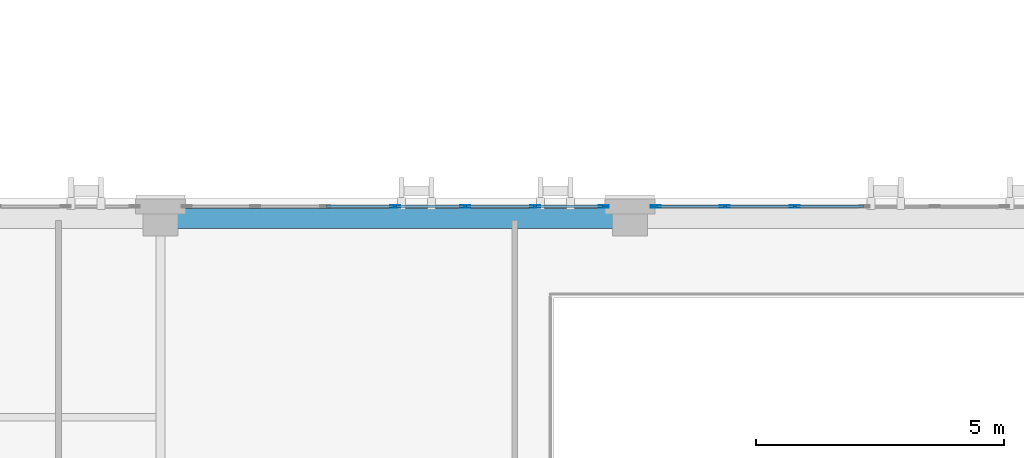
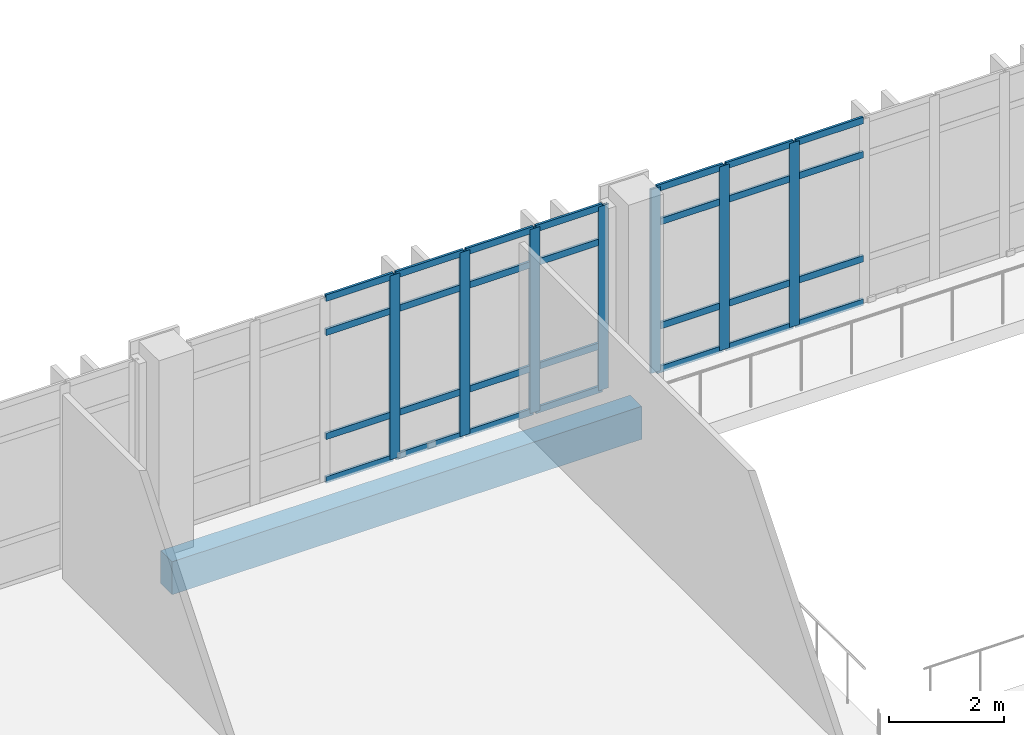
# One storey, part 15 of 193: 35 members, 1 beam, 2 elements without a shape of their own.
"""IFC4 building model written with IfcOpenShell, lengths in metres."""

from ifc_helpers import new_model, si_unit, direction, frame, origin, origin_2d, place, context, subcontext, project, spatial, rectangle, hollow_rectangle, extrude, material, layer, layer_set, material_profile, profile_set, type_object, element, aggregate, save


model = new_model("IFC4")

# Units and contexts
model_context = context("Model", 3, precision=1e-05, world=origin(), true_north=direction((0.0, 1.0)))
body_context = subcontext(model_context, "Body", "Model", "MODEL_VIEW")
ifc_project = project(units=[si_unit("LENGTHUNIT", "METRE"), si_unit("AREAUNIT", "SQUARE_METRE"), si_unit("VOLUMEUNIT", "CUBIC_METRE"), si_unit("PLANEANGLEUNIT", "RADIAN"), si_unit("MASSUNIT", "GRAM", prefix="KILO")], contexts=[model_context])

# Site, building, storey
site_placement = place(None, origin())
site = spatial("IfcSite", under=ifc_project, at=site_placement, CompositionType="ELEMENT")
building_placement = place(site_placement, origin())
building = spatial("IfcBuilding", under=site, at=building_placement, Name="Qalavern Law Courts", CompositionType="ELEMENT")
storey_placement = place(building_placement, frame((0.0, 0.0, 10.199951171875)))
storey = spatial("IfcBuildingStorey", under=building, at=storey_placement, Name="L02", CompositionType="ELEMENT", Elevation=10.199951171875)

# Curtain wall, members
ifc_material_1 = material(Name="Anodised aluminium and insulated glazing", Category="aluminium")
ifc_layer = layer(ifc_material_1, 0.18505859375)
ifc_layer_set = layer_set([ifc_layer], Name="Anodised aluminium and insulated glazing")
curtain_wall_type = type_object("IfcCurtainWallType", Name="ENV-CW-HALL", PredefinedType="USERDEFINED", material=ifc_layer_set)
curtain_wall_1_placement = place(storey_placement, origin())
curtain_wall_1 = element("IfcCurtainWall", 1, at=curtain_wall_1_placement, inside=storey, type_object=curtain_wall_type, Name="V2 unitised curtain wall L02 north 4", ObjectType="UNITISED CURTAIN WALL", PredefinedType="USERDEFINED")
ifc_material_2 = material(Name="Anodised aluminium", Category="aluminium")
ifc_material_profile_1 = material_profile(ifc_material_2, hollow_rectangle(XDim=0.048095703125, YDim=0.199951171875, WallThickness=0.00439453125, at=origin_2d()), Name="ALU MULLION 48x200")
ifc_profile_set_1 = profile_set([ifc_material_profile_1], Name="Anodised aluminium")
member_type_1 = type_object("IfcMemberType", Name="ENV-CWM-48x200", PredefinedType="MULLION", material=ifc_profile_set_1)
member_1_placement = place(storey_placement, frame((56.8466796875, 30.2451171875, 0.0), z_axis=(0.0, 0.0, 1.0), x_axis=(0.0, -1.0, 0.0)))
member_1 = element("IfcMember", 2, at=member_1_placement, type_object=member_type_1, Name="CW-02 mullion 5", PredefinedType="MULLION", context=body_context, shape_type="SweptSolid", body=[
    extrude(hollow_rectangle(XDim=0.048095703125, YDim=0.199951171875, WallThickness=0.00439453125, at=origin_2d()), origin(), (0.0, 0.0, 1.0), 3.9150390625),
])
member_2_placement = place(storey_placement, frame((55.437744140625, 30.2451171875, 0.0), z_axis=(0.0, 0.0, 1.0), x_axis=(0.0, -1.0, 0.0)))
member_2 = element("IfcMember", 3, at=member_2_placement, type_object=member_type_1, Name="CW-02 mullion 6", PredefinedType="MULLION", context=body_context, shape_type="SweptSolid", body=[
    extrude(hollow_rectangle(XDim=0.048095703125, YDim=0.199951171875, WallThickness=0.00439453125, at=origin_2d()), origin(), (0.0, 0.0, 1.0), 3.9150390625),
])
member_3_placement = place(storey_placement, frame((54.052490234375, 30.2451171875, 0.0), z_axis=(0.0, 0.0, 1.0), x_axis=(0.0, -1.0, 0.0)))
member_3 = element("IfcMember", 4, at=member_3_placement, type_object=member_type_1, Name="CW-02 mullion 7", PredefinedType="MULLION", context=body_context, shape_type="SweptSolid", body=[
    extrude(hollow_rectangle(XDim=0.048095703125, YDim=0.199951171875, WallThickness=0.00439453125, at=origin_2d()), origin(), (0.0, 0.0, 1.0), 3.9150390625),
])

curtain_wall_2_placement = place(storey_placement, origin())
curtain_wall_2 = element("IfcCurtainWall", 5, at=curtain_wall_2_placement, inside=storey, type_object=curtain_wall_type, Name="V2 unitised curtain wall L02 north 5", ObjectType="UNITISED CURTAIN WALL", PredefinedType="USERDEFINED")
member_4_placement = place(storey_placement, frame((53.004638671875, 30.2451171875, 0.0), z_axis=(0.0, 0.0, 1.0), x_axis=(0.0, -1.0, 0.0)))
member_4 = element("IfcMember", 6, at=member_4_placement, type_object=member_type_1, Name="CW-02 mullion 1", PredefinedType="MULLION", context=body_context, shape_type="SweptSolid", body=[
    extrude(hollow_rectangle(XDim=0.048095703125, YDim=0.199951171875, WallThickness=0.00439453125, at=origin_2d()), origin(), (0.0, 0.0, 1.0), 3.9150390625),
])
member_5_placement = place(storey_placement, frame((51.61962890625, 30.2451171875, 0.0), z_axis=(0.0, 0.0, 1.0), x_axis=(0.0, -1.0, 0.0)))
member_5 = element("IfcMember", 7, at=member_5_placement, type_object=member_type_1, Name="CW-02 mullion 2", PredefinedType="MULLION", context=body_context, shape_type="SweptSolid", body=[
    extrude(hollow_rectangle(XDim=0.048095703125, YDim=0.199951171875, WallThickness=0.00439453125, at=origin_2d()), origin(), (0.0, 0.0, 1.0), 3.9150390625),
])
member_6_placement = place(storey_placement, frame((50.21044921875, 30.2451171875, 0.0), z_axis=(0.0, 0.0, 1.0), x_axis=(0.0, -1.0, 0.0)))
member_6 = element("IfcMember", 8, at=member_6_placement, type_object=member_type_1, Name="CW-02 mullion 3", PredefinedType="MULLION", context=body_context, shape_type="SweptSolid", body=[
    extrude(hollow_rectangle(XDim=0.048095703125, YDim=0.199951171875, WallThickness=0.00439453125, at=origin_2d()), origin(), (0.0, 0.0, 1.0), 3.9150390625),
])
member_7_placement = place(storey_placement, frame((48.801513671875, 30.2451171875, 0.0), z_axis=(0.0, 0.0, 1.0), x_axis=(0.0, -1.0, 0.0)))
member_7 = element("IfcMember", 9, at=member_7_placement, type_object=member_type_1, Name="CW-02 mullion 4", PredefinedType="MULLION", context=body_context, shape_type="SweptSolid", body=[
    extrude(hollow_rectangle(XDim=0.048095703125, YDim=0.199951171875, WallThickness=0.00439453125, at=origin_2d()), origin(), (0.0, 0.0, 1.0), 3.9150390625),
])

# Member
ifc_material_profile_2 = material_profile(ifc_material_2, hollow_rectangle(XDim=0.048095703125, YDim=0.139892578125, WallThickness=0.00390625, at=origin_2d()), Name="ALU TRANSOM 48x140")
ifc_profile_set_2 = profile_set([ifc_material_profile_2], Name="Anodised aluminium")
member_type_2 = type_object("IfcMemberType", Name="ENV-CWT-48x140", PredefinedType="USERDEFINED", material=ifc_profile_set_2)
member_8_placement = place(storey_placement, frame((58.231689453125, 30.2451171875, 0.024169921875), z_axis=(-1.0, 0.0, 0.0), x_axis=(0.0, -1.0, 0.0)))
member_8 = element("IfcMember", 10, at=member_8_placement, type_object=member_type_2, Name="CW-02 transom 4.1", ObjectType="TRANSOM", PredefinedType="USERDEFINED", context=body_context, shape_type="SweptSolid", body=[
    extrude(hollow_rectangle(XDim=0.048095703125, YDim=0.139892578125, WallThickness=0.00390625, at=origin_2d()), origin(), (0.0, 0.0, 1.0), 1.361083984375),
])

member_9_placement = place(storey_placement, frame((58.231689453125, 30.2451171875, 0.949951171875), z_axis=(-1.0, 0.0, 0.0), x_axis=(0.0, -1.0, 0.0)))
member_9 = element("IfcMember", 11, at=member_9_placement, type_object=member_type_2, Name="CW-02 transom 4.2", ObjectType="TRANSOM", PredefinedType="USERDEFINED", context=body_context, shape_type="SweptSolid", body=[
    extrude(hollow_rectangle(XDim=0.048095703125, YDim=0.139892578125, WallThickness=0.00390625, at=origin_2d()), origin(), (0.0, 0.0, 1.0), 1.361083984375),
])

member_10_placement = place(storey_placement, frame((58.231689453125, 30.2451171875, 3.1650390625), z_axis=(-1.0, 0.0, 0.0), x_axis=(0.0, -1.0, 0.0)))
member_10 = element("IfcMember", 12, at=member_10_placement, type_object=member_type_2, Name="CW-02 transom 4.3", ObjectType="TRANSOM", PredefinedType="USERDEFINED", context=body_context, shape_type="SweptSolid", body=[
    extrude(hollow_rectangle(XDim=0.048095703125, YDim=0.139892578125, WallThickness=0.00390625, at=origin_2d()), origin(), (0.0, 0.0, 1.0), 1.361083984375),
])

member_11_placement = place(storey_placement, frame((58.231689453125, 30.2451171875, 3.89111328125), z_axis=(-1.0, 0.0, 0.0), x_axis=(0.0, -1.0, 0.0)))
member_11 = element("IfcMember", 13, at=member_11_placement, type_object=member_type_2, Name="CW-02 transom 4.4", ObjectType="TRANSOM", PredefinedType="USERDEFINED", context=body_context, shape_type="SweptSolid", body=[
    extrude(hollow_rectangle(XDim=0.048095703125, YDim=0.139892578125, WallThickness=0.00390625, at=origin_2d()), origin(), (0.0, 0.0, 1.0), 1.361083984375),
])

member_12_placement = place(storey_placement, frame((56.82275390625, 30.2451171875, 0.024169921875), z_axis=(-1.0, 0.0, 0.0), x_axis=(0.0, -1.0, 0.0)))
member_12 = element("IfcMember", 14, at=member_12_placement, type_object=member_type_2, Name="CW-02 transom 5.1", ObjectType="TRANSOM", PredefinedType="USERDEFINED", context=body_context, shape_type="SweptSolid", body=[
    extrude(hollow_rectangle(XDim=0.048095703125, YDim=0.139892578125, WallThickness=0.00390625, at=origin_2d()), origin(), (0.0, 0.0, 1.0), 1.361083984375),
])

member_13_placement = place(storey_placement, frame((56.82275390625, 30.2451171875, 0.949951171875), z_axis=(-1.0, 0.0, 0.0), x_axis=(0.0, -1.0, 0.0)))
member_13 = element("IfcMember", 15, at=member_13_placement, type_object=member_type_2, Name="CW-02 transom 5.2", ObjectType="TRANSOM", PredefinedType="USERDEFINED", context=body_context, shape_type="SweptSolid", body=[
    extrude(hollow_rectangle(XDim=0.048095703125, YDim=0.139892578125, WallThickness=0.00390625, at=origin_2d()), origin(), (0.0, 0.0, 1.0), 1.361083984375),
])

member_14_placement = place(storey_placement, frame((56.82275390625, 30.2451171875, 3.1650390625), z_axis=(-1.0, 0.0, 0.0), x_axis=(0.0, -1.0, 0.0)))
member_14 = element("IfcMember", 16, at=member_14_placement, type_object=member_type_2, Name="CW-02 transom 5.3", ObjectType="TRANSOM", PredefinedType="USERDEFINED", context=body_context, shape_type="SweptSolid", body=[
    extrude(hollow_rectangle(XDim=0.048095703125, YDim=0.139892578125, WallThickness=0.00390625, at=origin_2d()), origin(), (0.0, 0.0, 1.0), 1.361083984375),
])

member_15_placement = place(storey_placement, frame((56.82275390625, 30.2451171875, 3.89111328125), z_axis=(-1.0, 0.0, 0.0), x_axis=(0.0, -1.0, 0.0)))
member_15 = element("IfcMember", 17, at=member_15_placement, type_object=member_type_2, Name="CW-02 transom 5.4", ObjectType="TRANSOM", PredefinedType="USERDEFINED", context=body_context, shape_type="SweptSolid", body=[
    extrude(hollow_rectangle(XDim=0.048095703125, YDim=0.139892578125, WallThickness=0.00390625, at=origin_2d()), origin(), (0.0, 0.0, 1.0), 1.361083984375),
])

member_16_placement = place(storey_placement, frame((55.41357421875, 30.2451171875, 0.024169921875), z_axis=(-1.0, 0.0, 0.0), x_axis=(0.0, -1.0, 0.0)))
member_16 = element("IfcMember", 18, at=member_16_placement, type_object=member_type_2, Name="CW-02 transom 6.1", ObjectType="TRANSOM", PredefinedType="USERDEFINED", context=body_context, shape_type="SweptSolid", body=[
    extrude(hollow_rectangle(XDim=0.048095703125, YDim=0.139892578125, WallThickness=0.00390625, at=origin_2d()), origin(), (0.0, 0.0, 1.0), 1.3369140625),
])

member_17_placement = place(storey_placement, frame((55.41357421875, 30.2451171875, 0.949951171875), z_axis=(-1.0, 0.0, 0.0), x_axis=(0.0, -1.0, 0.0)))
member_17 = element("IfcMember", 19, at=member_17_placement, type_object=member_type_2, Name="CW-02 transom 6.2", ObjectType="TRANSOM", PredefinedType="USERDEFINED", context=body_context, shape_type="SweptSolid", body=[
    extrude(hollow_rectangle(XDim=0.048095703125, YDim=0.139892578125, WallThickness=0.00390625, at=origin_2d()), origin(), (0.0, 0.0, 1.0), 1.3369140625),
])

member_18_placement = place(storey_placement, frame((55.41357421875, 30.2451171875, 3.1650390625), z_axis=(-1.0, 0.0, 0.0), x_axis=(0.0, -1.0, 0.0)))
member_18 = element("IfcMember", 20, at=member_18_placement, type_object=member_type_2, Name="CW-02 transom 6.3", ObjectType="TRANSOM", PredefinedType="USERDEFINED", context=body_context, shape_type="SweptSolid", body=[
    extrude(hollow_rectangle(XDim=0.048095703125, YDim=0.139892578125, WallThickness=0.00390625, at=origin_2d()), origin(), (0.0, 0.0, 1.0), 1.3369140625),
])

member_19_placement = place(storey_placement, frame((55.41357421875, 30.2451171875, 3.89111328125), z_axis=(-1.0, 0.0, 0.0), x_axis=(0.0, -1.0, 0.0)))
member_19 = element("IfcMember", 21, at=member_19_placement, type_object=member_type_2, Name="CW-02 transom 6.4", ObjectType="TRANSOM", PredefinedType="USERDEFINED", context=body_context, shape_type="SweptSolid", body=[
    extrude(hollow_rectangle(XDim=0.048095703125, YDim=0.139892578125, WallThickness=0.00390625, at=origin_2d()), origin(), (0.0, 0.0, 1.0), 1.3369140625),
])

aggregate(curtain_wall_1, [member_1, member_2, member_3, member_8, member_9, member_10, member_11, member_12, member_13, member_14, member_15, member_16, member_17, member_18, member_19])

member_20_placement = place(storey_placement, frame((52.980712890625, 30.2451171875, 0.024169921875), z_axis=(-1.0, 0.0, 0.0), x_axis=(0.0, -1.0, 0.0)))
member_20 = element("IfcMember", 22, at=member_20_placement, type_object=member_type_2, Name="CW-02 transom 1.1", ObjectType="TRANSOM", PredefinedType="USERDEFINED", context=body_context, shape_type="SweptSolid", body=[
    extrude(hollow_rectangle(XDim=0.048095703125, YDim=0.139892578125, WallThickness=0.00390625, at=origin_2d()), origin(), (0.0, 0.0, 1.0), 1.337158203125),
])

member_21_placement = place(storey_placement, frame((52.980712890625, 30.2451171875, 0.949951171875), z_axis=(-1.0, 0.0, 0.0), x_axis=(0.0, -1.0, 0.0)))
member_21 = element("IfcMember", 23, at=member_21_placement, type_object=member_type_2, Name="CW-02 transom 1.2", ObjectType="TRANSOM", PredefinedType="USERDEFINED", context=body_context, shape_type="SweptSolid", body=[
    extrude(hollow_rectangle(XDim=0.048095703125, YDim=0.139892578125, WallThickness=0.00390625, at=origin_2d()), origin(), (0.0, 0.0, 1.0), 1.337158203125),
])

member_22_placement = place(storey_placement, frame((52.980712890625, 30.2451171875, 3.1650390625), z_axis=(-1.0, 0.0, 0.0), x_axis=(0.0, -1.0, 0.0)))
member_22 = element("IfcMember", 24, at=member_22_placement, type_object=member_type_2, Name="CW-02 transom 1.3", ObjectType="TRANSOM", PredefinedType="USERDEFINED", context=body_context, shape_type="SweptSolid", body=[
    extrude(hollow_rectangle(XDim=0.048095703125, YDim=0.139892578125, WallThickness=0.00390625, at=origin_2d()), origin(), (0.0, 0.0, 1.0), 1.337158203125),
])

member_23_placement = place(storey_placement, frame((52.980712890625, 30.2451171875, 3.89111328125), z_axis=(-1.0, 0.0, 0.0), x_axis=(0.0, -1.0, 0.0)))
member_23 = element("IfcMember", 25, at=member_23_placement, type_object=member_type_2, Name="CW-02 transom 1.4", ObjectType="TRANSOM", PredefinedType="USERDEFINED", context=body_context, shape_type="SweptSolid", body=[
    extrude(hollow_rectangle(XDim=0.048095703125, YDim=0.139892578125, WallThickness=0.00390625, at=origin_2d()), origin(), (0.0, 0.0, 1.0), 1.337158203125),
])

member_24_placement = place(storey_placement, frame((51.595458984375, 30.2451171875, 0.024169921875), z_axis=(-1.0, 0.0, 0.0), x_axis=(0.0, -1.0, 0.0)))
member_24 = element("IfcMember", 26, at=member_24_placement, type_object=member_type_2, Name="CW-02 transom 2.1", ObjectType="TRANSOM", PredefinedType="USERDEFINED", context=body_context, shape_type="SweptSolid", body=[
    extrude(hollow_rectangle(XDim=0.048095703125, YDim=0.139892578125, WallThickness=0.00390625, at=origin_2d()), origin(), (0.0, 0.0, 1.0), 1.36083984375),
])

member_25_placement = place(storey_placement, frame((51.595458984375, 30.2451171875, 0.949951171875), z_axis=(-1.0, 0.0, 0.0), x_axis=(0.0, -1.0, 0.0)))
member_25 = element("IfcMember", 27, at=member_25_placement, type_object=member_type_2, Name="CW-02 transom 2.2", ObjectType="TRANSOM", PredefinedType="USERDEFINED", context=body_context, shape_type="SweptSolid", body=[
    extrude(hollow_rectangle(XDim=0.048095703125, YDim=0.139892578125, WallThickness=0.00390625, at=origin_2d()), origin(), (0.0, 0.0, 1.0), 1.36083984375),
])

member_26_placement = place(storey_placement, frame((51.595458984375, 30.2451171875, 3.1650390625), z_axis=(-1.0, 0.0, 0.0), x_axis=(0.0, -1.0, 0.0)))
member_26 = element("IfcMember", 28, at=member_26_placement, type_object=member_type_2, Name="CW-02 transom 2.3", ObjectType="TRANSOM", PredefinedType="USERDEFINED", context=body_context, shape_type="SweptSolid", body=[
    extrude(hollow_rectangle(XDim=0.048095703125, YDim=0.139892578125, WallThickness=0.00390625, at=origin_2d()), origin(), (0.0, 0.0, 1.0), 1.36083984375),
])

member_27_placement = place(storey_placement, frame((51.595458984375, 30.2451171875, 3.89111328125), z_axis=(-1.0, 0.0, 0.0), x_axis=(0.0, -1.0, 0.0)))
member_27 = element("IfcMember", 29, at=member_27_placement, type_object=member_type_2, Name="CW-02 transom 2.4", ObjectType="TRANSOM", PredefinedType="USERDEFINED", context=body_context, shape_type="SweptSolid", body=[
    extrude(hollow_rectangle(XDim=0.048095703125, YDim=0.139892578125, WallThickness=0.00390625, at=origin_2d()), origin(), (0.0, 0.0, 1.0), 1.36083984375),
])

member_28_placement = place(storey_placement, frame((50.1865234375, 30.2451171875, 0.024169921875), z_axis=(-1.0, 0.0, 0.0), x_axis=(0.0, -1.0, 0.0)))
member_28 = element("IfcMember", 30, at=member_28_placement, type_object=member_type_2, Name="CW-02 transom 3.1", ObjectType="TRANSOM", PredefinedType="USERDEFINED", context=body_context, shape_type="SweptSolid", body=[
    extrude(hollow_rectangle(XDim=0.048095703125, YDim=0.139892578125, WallThickness=0.00390625, at=origin_2d()), origin(), (0.0, 0.0, 1.0), 1.361083984375),
])

member_29_placement = place(storey_placement, frame((50.1865234375, 30.2451171875, 0.949951171875), z_axis=(-1.0, 0.0, 0.0), x_axis=(0.0, -1.0, 0.0)))
member_29 = element("IfcMember", 31, at=member_29_placement, type_object=member_type_2, Name="CW-02 transom 3.2", ObjectType="TRANSOM", PredefinedType="USERDEFINED", context=body_context, shape_type="SweptSolid", body=[
    extrude(hollow_rectangle(XDim=0.048095703125, YDim=0.139892578125, WallThickness=0.00390625, at=origin_2d()), origin(), (0.0, 0.0, 1.0), 1.361083984375),
])

member_30_placement = place(storey_placement, frame((50.1865234375, 30.2451171875, 3.1650390625), z_axis=(-1.0, 0.0, 0.0), x_axis=(0.0, -1.0, 0.0)))
member_30 = element("IfcMember", 32, at=member_30_placement, type_object=member_type_2, Name="CW-02 transom 3.3", ObjectType="TRANSOM", PredefinedType="USERDEFINED", context=body_context, shape_type="SweptSolid", body=[
    extrude(hollow_rectangle(XDim=0.048095703125, YDim=0.139892578125, WallThickness=0.00390625, at=origin_2d()), origin(), (0.0, 0.0, 1.0), 1.361083984375),
])

member_31_placement = place(storey_placement, frame((50.1865234375, 30.2451171875, 3.89111328125), z_axis=(-1.0, 0.0, 0.0), x_axis=(0.0, -1.0, 0.0)))
member_31 = element("IfcMember", 33, at=member_31_placement, type_object=member_type_2, Name="CW-02 transom 3.4", ObjectType="TRANSOM", PredefinedType="USERDEFINED", context=body_context, shape_type="SweptSolid", body=[
    extrude(hollow_rectangle(XDim=0.048095703125, YDim=0.139892578125, WallThickness=0.00390625, at=origin_2d()), origin(), (0.0, 0.0, 1.0), 1.361083984375),
])

member_32_placement = place(storey_placement, frame((48.77734375, 30.2451171875, 0.024169921875), z_axis=(-1.0, 0.0, 0.0), x_axis=(0.0, -1.0, 0.0)))
member_32 = element("IfcMember", 34, at=member_32_placement, type_object=member_type_2, Name="CW-02 transom 4.1", ObjectType="TRANSOM", PredefinedType="USERDEFINED", context=body_context, shape_type="SweptSolid", body=[
    extrude(hollow_rectangle(XDim=0.048095703125, YDim=0.139892578125, WallThickness=0.00390625, at=origin_2d()), origin(), (0.0, 0.0, 1.0), 1.36083984375),
])

member_33_placement = place(storey_placement, frame((48.77734375, 30.2451171875, 0.949951171875), z_axis=(-1.0, 0.0, 0.0), x_axis=(0.0, -1.0, 0.0)))
member_33 = element("IfcMember", 35, at=member_33_placement, type_object=member_type_2, Name="CW-02 transom 4.2", ObjectType="TRANSOM", PredefinedType="USERDEFINED", context=body_context, shape_type="SweptSolid", body=[
    extrude(hollow_rectangle(XDim=0.048095703125, YDim=0.139892578125, WallThickness=0.00390625, at=origin_2d()), origin(), (0.0, 0.0, 1.0), 1.36083984375),
])

member_34_placement = place(storey_placement, frame((48.77734375, 30.2451171875, 3.1650390625), z_axis=(-1.0, 0.0, 0.0), x_axis=(0.0, -1.0, 0.0)))
member_34 = element("IfcMember", 36, at=member_34_placement, type_object=member_type_2, Name="CW-02 transom 4.3", ObjectType="TRANSOM", PredefinedType="USERDEFINED", context=body_context, shape_type="SweptSolid", body=[
    extrude(hollow_rectangle(XDim=0.048095703125, YDim=0.139892578125, WallThickness=0.00390625, at=origin_2d()), origin(), (0.0, 0.0, 1.0), 1.36083984375),
])

member_35_placement = place(storey_placement, frame((48.77734375, 30.2451171875, 3.89111328125), z_axis=(-1.0, 0.0, 0.0), x_axis=(0.0, -1.0, 0.0)))
member_35 = element("IfcMember", 37, at=member_35_placement, type_object=member_type_2, Name="CW-02 transom 4.4", ObjectType="TRANSOM", PredefinedType="USERDEFINED", context=body_context, shape_type="SweptSolid", body=[
    extrude(hollow_rectangle(XDim=0.048095703125, YDim=0.139892578125, WallThickness=0.00390625, at=origin_2d()), origin(), (0.0, 0.0, 1.0), 1.36083984375),
])

aggregate(curtain_wall_2, [member_4, member_5, member_6, member_7, member_20, member_21, member_22, member_23, member_24, member_25, member_26, member_27, member_28, member_29, member_30, member_31, member_32, member_33, member_34, member_35])

# Beam
ifc_material_3 = material(Name="Concrete C40/50", Category="concrete")
ifc_material_profile_3 = material_profile(ifc_material_3, rectangle(XDim=0.39990234375, YDim=0.699951171875, at=origin_2d()), Name="RC 400x700")
ifc_profile_set_3 = profile_set([ifc_material_profile_3], Name="Concrete C40/50")
beam_type = type_object("IfcBeamType", Name="STR-SP-RC400x700", PredefinedType="SPANDREL", material=ifc_profile_set_3)
beam_placement = place(storey_placement, frame((44.07421875, 30.0, -0.639892578125), z_axis=(1.0, 0.0, 0.0), x_axis=(0.0, 1.0, 0.0)))
element("IfcBeam", 38, at=beam_placement, inside=storey, type_object=beam_type, Name="V2 X-beam 4-2 L02", PredefinedType="SPANDREL", context=body_context, shape_type="SweptSolid", body=[
    extrude(rectangle(XDim=0.39990234375, YDim=0.699951171875, at=origin_2d()), origin(), (0.0, 0.0, 1.0), 9.454345703125),
])

save(model, "model.ifc")
